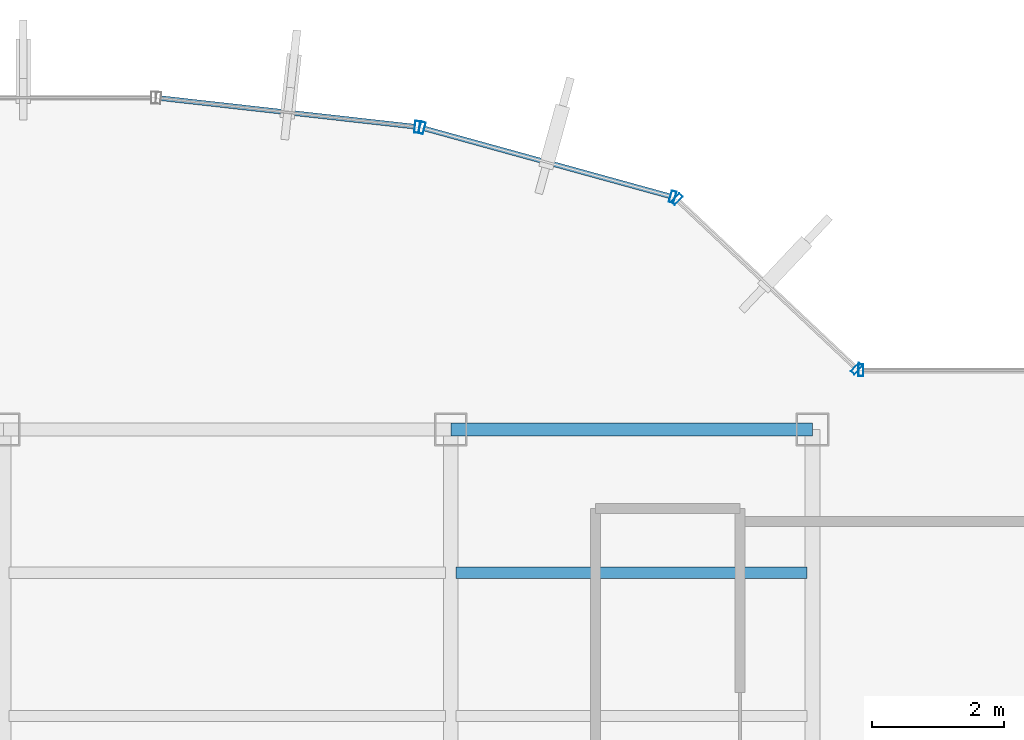
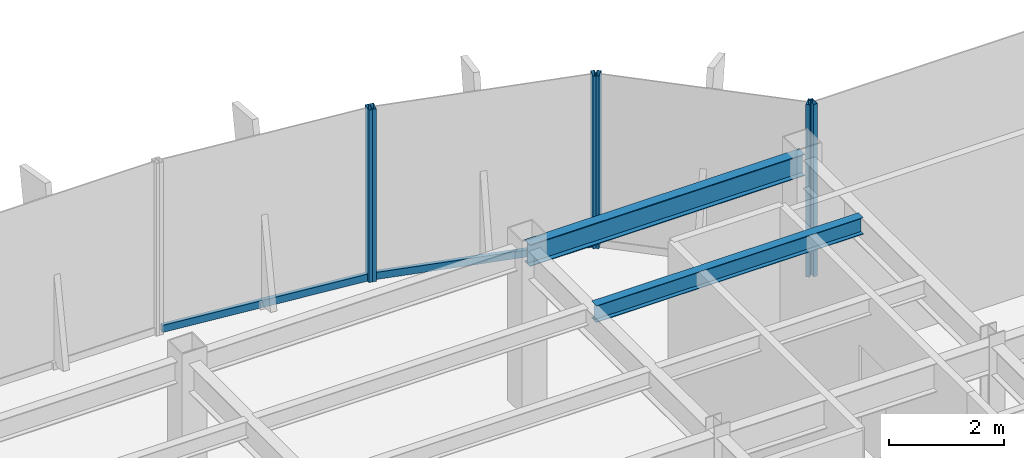
# One storey, part 14 of 22: 8 members, 2 beams, 4 elements without a shape of their own.
"""IFC4 building model written with IfcOpenShell, lengths in metres."""

from ifc_helpers import new_model, si_unit, derived_unit, direction, frame, origin, origin_2d, place, context, subcontext, project, spatial, hollow_rectangle, i_section, extrude, source, transform, mapped, material, material_profile, profile_set, type_object, element, aggregate, save


model = new_model("IFC4")

# Units and contexts
model_context = context("Model", 3, precision=1e-05, world=origin(), true_north=direction((0.0, 1.0)))
body_context = subcontext(model_context, "Body", "Model", "MODEL_VIEW")
ifc_project = project(units=[si_unit("LENGTHUNIT", "METRE"), si_unit("AREAUNIT", "SQUARE_METRE"), si_unit("VOLUMEUNIT", "CUBIC_METRE"), si_unit("PLANEANGLEUNIT", "RADIAN"), si_unit("MASSUNIT", "GRAM", prefix="KILO"), derived_unit("THERMALTRANSMITTANCEUNIT", [(si_unit("POWERUNIT", "WATT"), 1), (si_unit("LENGTHUNIT", "METRE"), -2), (si_unit("THERMODYNAMICTEMPERATUREUNIT", "KELVIN"), -1)])], contexts=[model_context])

# Site, building, storey
site_placement = place(None, origin())
site = spatial("IfcSite", under=ifc_project, at=site_placement, CompositionType="ELEMENT")
building_placement = place(site_placement, origin())
building = spatial("IfcBuilding", under=site, at=building_placement, Name="Skarnbrae Concourse Arena and Tower", CompositionType="ELEMENT")
storey_placement = place(building_placement, frame((0.0, 0.0, 221.449951171875)))
storey = spatial("IfcBuildingStorey", under=building, at=storey_placement, Name="L57", CompositionType="ELEMENT", Elevation=221.449951171875)

# Beams
ifc_material_1 = material(Name="Steel CSA G40.21 350W", Category="steel")
ifc_material_profile_1 = material_profile(ifc_material_1, i_section(OverallWidth=0.19091796875, OverallDepth=0.4599609375, WebThickness=0.010009765625, FlangeThickness=0.01611328125, at=origin_2d()), Name="W460X82")
ifc_profile_set_1 = profile_set([ifc_material_profile_1], Name="Steel CSA G40.21 350W")
beam_type_1 = type_object("IfcBeamType", Name="BM-SPAN-W460X82", PredefinedType="SPANDREL", material=ifc_profile_set_1)
shared_shape_1 = source(origin(), body_context, "Body", "SweptSolid", [
    extrude(i_section(OverallWidth=0.19091796875, OverallDepth=0.4599609375, WebThickness=0.010009765625, FlangeThickness=0.01611328125, at=origin_2d()), origin(), (0.0, 0.0, 1.0), 5.5),
])
beam_1_placement = place(storey_placement, frame((28.0, 34.39990234375, 3.170166015625), z_axis=(1.0, 0.0, 0.0), x_axis=(0.0, 1.0, 0.0)))
element("IfcBeam", 1, at=beam_1_placement, inside=storey, type_object=beam_type_1, Name="L57 Perimeter spandrel Y34.4-4", PredefinedType="SPANDREL", context=body_context, shape_type="MappedRepresentation", body=[
    mapped(shared_shape_1, transform((0.0, 0.0, 0.0))),
])
ifc_material_profile_2 = material_profile(ifc_material_1, i_section(OverallWidth=0.1708984375, OverallDepth=0.35498046875, WebThickness=0.007080078125, FlangeThickness=0.01171875, at=origin_2d()), Name="W360X51")
ifc_profile_set_2 = profile_set([ifc_material_profile_2], Name="Steel CSA G40.21 350W")
beam_type_2 = type_object("IfcBeamType", Name="BM-JOIST-W360X51", PredefinedType="JOIST", material=ifc_profile_set_2)
shared_shape_2 = source(origin(), body_context, "Body", "SweptSolid", [
    extrude(i_section(OverallWidth=0.1708984375, OverallDepth=0.35498046875, WebThickness=0.007080078125, FlangeThickness=0.01171875, at=origin_2d()), origin(), (0.0, 0.0, 1.0), 5.33984375),
])
beam_2_placement = place(storey_placement, frame((28.080078125, 32.221923828125, 3.22265625), z_axis=(1.0, 0.0, 0.0), x_axis=(0.0, 1.0, 0.0)))
element("IfcBeam", 2, at=beam_2_placement, inside=storey, type_object=beam_type_2, Name="L57 Secondary floor joist 3.2.4", PredefinedType="JOIST", context=body_context, shape_type="MappedRepresentation", body=[
    mapped(shared_shape_2, transform((0.0, 0.0, 0.0))),
])

# Curtain wall, member
ifc_material_2 = material(Name="Bronze anodised aluminium 6063-T6", Category="aluminium")
curtain_wall_type = type_object("IfcCurtainWallType", Name="CW-SYS-05-HIGHZONE", PredefinedType="USERDEFINED", material=ifc_material_2)
curtain_wall_1_placement = place(storey_placement, origin())
curtain_wall_1 = element("IfcCurtainWall", 3, at=curtain_wall_1_placement, inside=storey, type_object=curtain_wall_type, Name="L57 Unitised curtain wall CW-L57-E09", ObjectType="UNITISED CURTAIN WALL", PredefinedType="USERDEFINED")
ifc_material_profile_3 = material_profile(ifc_material_2, hollow_rectangle(XDim=0.074951171875, YDim=0.14990234375, WallThickness=0.00390625, at=origin_2d()), Name="ALU-TRAN-75X150")
ifc_profile_set_3 = profile_set([ifc_material_profile_3], Name="Bronze anodised aluminium 6063-T6")
member_type_1 = type_object("IfcMemberType", Name="CWT-CW-05", PredefinedType="USERDEFINED", material=ifc_profile_set_3)
shared_shape_3 = source(origin(), body_context, "Body", "SweptSolid", [
    extrude(hollow_rectangle(XDim=0.074951171875, YDim=0.14990234375, WallThickness=0.00390625, at=origin_2d()), origin(), (0.0, 0.0, 1.0), 3.878662109375),
])
member_1_placement = place(storey_placement, frame((31.33740234375, 37.946533203125, 0.074951171875), z_axis=(-0.964042677713, 0.265747465742, 0.0), x_axis=(-0.265747465742, -0.964042677713, 0.0)))
member_1 = element("IfcMember", 4, at=member_1_placement, type_object=member_type_1, Name="CW-L57-E09 Transom 1", ObjectType="TRANSOM", PredefinedType="USERDEFINED", context=body_context, shape_type="MappedRepresentation", body=[
    mapped(shared_shape_3, transform((0.0, 0.0, 0.0))),
])

curtain_wall_2_placement = place(storey_placement, origin())
curtain_wall_2 = element("IfcCurtainWall", 5, at=curtain_wall_2_placement, inside=storey, type_object=curtain_wall_type, Name="L57 Unitised curtain wall CW-L57-E10", ObjectType="UNITISED CURTAIN WALL", PredefinedType="USERDEFINED")
shared_shape_4 = source(origin(), body_context, "Body", "SweptSolid", [
    extrude(hollow_rectangle(XDim=0.074951171875, YDim=0.14990234375, WallThickness=0.00390625, at=origin_2d()), origin(), (0.0, 0.0, 1.0), 3.8837890625),
])
member_2_placement = place(storey_placement, frame((27.451416015625, 39.005615234375, 0.074951171875), z_axis=(-0.993776714154, 0.111390495128, 0.0), x_axis=(-0.111390495128, -0.993776714154, 0.0)))
member_2 = element("IfcMember", 6, at=member_2_placement, type_object=member_type_1, Name="CW-L57-E10 Transom 1", ObjectType="TRANSOM", PredefinedType="USERDEFINED", context=body_context, shape_type="MappedRepresentation", body=[
    mapped(shared_shape_4, transform((0.0, 0.0, 0.0))),
])

curtain_wall_3_placement = place(storey_placement, origin())
curtain_wall_3 = element("IfcCurtainWall", 7, at=curtain_wall_3_placement, inside=storey, type_object=curtain_wall_type, Name="L57 Unitised curtain wall CW-L57-E07", ObjectType="UNITISED CURTAIN WALL", PredefinedType="USERDEFINED")
ifc_material_profile_4 = material_profile(ifc_material_2, hollow_rectangle(XDim=0.074951171875, YDim=0.179931640625, WallThickness=0.00390625, at=origin_2d()), Name="ALU-MULL-75X180")
ifc_profile_set_4 = profile_set([ifc_material_profile_4], Name="Bronze anodised aluminium 6063-T6")
member_type_2 = type_object("IfcMemberType", Name="CWM-CW-05", PredefinedType="MULLION", material=ifc_profile_set_4)
shared_shape_5 = source(origin(), body_context, "Body", "SweptSolid", [
    extrude(hollow_rectangle(XDim=0.074951171875, YDim=0.179931640625, WallThickness=0.00390625, at=origin_2d()), origin(), (0.0, 0.0, 1.0), 3.650146484375),
])
member_3_placement = place(storey_placement, frame((34.237548828125, 35.300048828125, 0.0), z_axis=(0.0, 0.0, 1.0), x_axis=(-1.0, 0.0, 0.0)))
member_3 = element("IfcMember", 8, at=member_3_placement, type_object=member_type_2, Name="CW-L57-E07 Mullion 2", PredefinedType="MULLION", context=body_context, shape_type="MappedRepresentation", body=[
    mapped(shared_shape_5, transform((0.0, 0.0, 0.0))),
])
aggregate(curtain_wall_3, [member_3])

# Curtain wall, members
curtain_wall_4_placement = place(storey_placement, origin())
curtain_wall_4 = element("IfcCurtainWall", 9, at=curtain_wall_4_placement, inside=storey, type_object=curtain_wall_type, Name="L57 Unitised curtain wall CW-L57-E08", ObjectType="UNITISED CURTAIN WALL", PredefinedType="USERDEFINED")
member_4_placement = place(storey_placement, frame((34.172607421875, 35.32568359375, 0.0), z_axis=(0.0, 0.0, 1.0), x_axis=(-0.728130555214, 0.685438468838, 0.0)))
member_4 = element("IfcMember", 10, at=member_4_placement, type_object=member_type_2, Name="CW-L57-E08 Mullion 1", PredefinedType="MULLION", context=body_context, shape_type="MappedRepresentation", body=[
    mapped(shared_shape_5, transform((0.0, 0.0, 0.0))),
])
member_5_placement = place(storey_placement, frame((31.43701171875, 37.90087890625, 0.0), z_axis=(0.0, 0.0, 1.0), x_axis=(-0.728130555214, 0.685438468838, 0.0)))
member_5 = element("IfcMember", 11, at=member_5_placement, type_object=member_type_2, Name="CW-L57-E08 Mullion 2", PredefinedType="MULLION", context=body_context, shape_type="MappedRepresentation", body=[
    mapped(shared_shape_5, transform((0.0, 0.0, 0.0))),
])
aggregate(curtain_wall_4, [member_4, member_5])

# Member
member_6_placement = place(storey_placement, frame((31.37353515625, 37.936767578125, 0.0), z_axis=(0.0, 0.0, 1.0), x_axis=(-0.964057388766, 0.265694093207, 0.0)))
member_6 = element("IfcMember", 12, at=member_6_placement, type_object=member_type_2, Name="CW-L57-E09 Mullion 1", PredefinedType="MULLION", context=body_context, shape_type="MappedRepresentation", body=[
    mapped(shared_shape_5, transform((0.0, 0.0, 0.0))),
])

member_7_placement = place(storey_placement, frame((27.56201171875, 38.987060546875, 0.0), z_axis=(0.0, 0.0, 1.0), x_axis=(-0.964057388766, 0.265694093207, 0.0)))
member_7 = element("IfcMember", 13, at=member_7_placement, type_object=member_type_2, Name="CW-L57-E09 Mullion 2", PredefinedType="MULLION", context=body_context, shape_type="MappedRepresentation", body=[
    mapped(shared_shape_5, transform((0.0, 0.0, 0.0))),
])

aggregate(curtain_wall_1, [member_6, member_7, member_1])

member_8_placement = place(storey_placement, frame((27.488525390625, 39.001220703125, 0.0), z_axis=(0.0, 0.0, 1.0), x_axis=(-0.993768891873, 0.111460259941, 0.0)))
member_8 = element("IfcMember", 14, at=member_8_placement, type_object=member_type_2, Name="CW-L57-E10 Mullion 1", PredefinedType="MULLION", context=body_context, shape_type="MappedRepresentation", body=[
    mapped(shared_shape_5, transform((0.0, 0.0, 0.0))),
])

aggregate(curtain_wall_2, [member_8, member_2])

save(model, "model.ifc")
